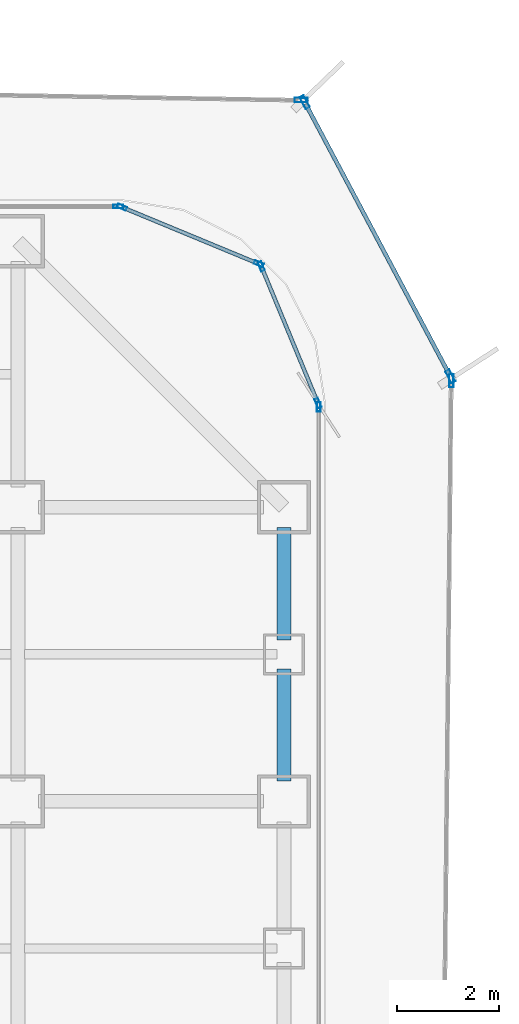
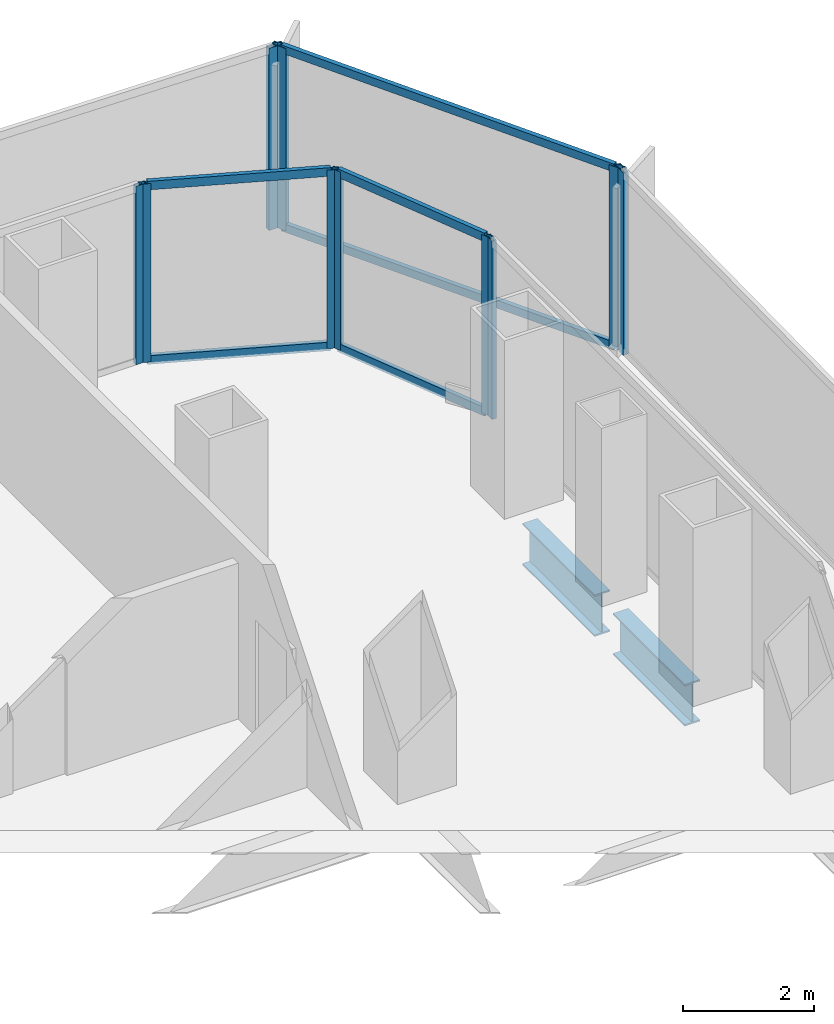
# One storey, part 15 of 21: 16 members, 2 beams, 7 elements without a shape of their own.
"""IFC4 building model written with IfcOpenShell, lengths in metres."""

from ifc_helpers import new_model, si_unit, direction, frame, origin, origin_2d, place, context, subcontext, project, spatial, hollow_rectangle, i_section, extrude, source, transform, mapped, material, layer, layer_set, material_profile, profile_set, type_object, element, aggregate, save


model = new_model("IFC4")

# Units and contexts
model_context = context("Model", 3, precision=1e-05, world=origin(), true_north=direction((0.0, 1.0)))
body_context = subcontext(model_context, "Body", "Model", "MODEL_VIEW")
ifc_project = project(units=[si_unit("LENGTHUNIT", "METRE"), si_unit("AREAUNIT", "SQUARE_METRE"), si_unit("VOLUMEUNIT", "CUBIC_METRE"), si_unit("PLANEANGLEUNIT", "RADIAN"), si_unit("MASSUNIT", "GRAM", prefix="KILO")], contexts=[model_context])

# Site, building, storey
site_placement = place(None, origin())
site = spatial("IfcSite", under=ifc_project, at=site_placement, CompositionType="ELEMENT")
building_placement = place(site_placement, origin())
building = spatial("IfcBuilding", under=site, at=building_placement, Name="Kolveth Station Tower", CompositionType="ELEMENT")
storey_placement = place(building_placement, frame((0.0, 0.0, 40.5)))
storey = spatial("IfcBuildingStorey", under=building, at=storey_placement, Name="L10", CompositionType="ELEMENT", Elevation=40.5)

# Beams
ifc_material_1 = material(Name="Steel S355", Category="steel")
ifc_material_profile_1 = material_profile(ifc_material_1, i_section(OverallWidth=0.26904296875, OverallDepth=0.77490234375, WebThickness=0.01708984375, FlangeThickness=0.0283203125, at=origin_2d()), Name="W760x220")
ifc_profile_set_1 = profile_set([ifc_material_profile_1], Name="Steel S355")
beam_type = type_object("IfcBeamType", Name="Beam_SP1", PredefinedType="SPANDREL", material=ifc_profile_set_1)
shared_shape_1 = source(origin(), body_context, "Body", "SweptSolid", [
    extrude(i_section(OverallWidth=0.26904296875, OverallDepth=0.77490234375, WebThickness=0.01708984375, FlangeThickness=0.0283203125, at=origin_2d()), origin(), (0.0, 0.0, 1.0), 2.2001953125),
])
beam_1_placement = place(storey_placement, frame((46.199951171875, 31.89990234375, -0.66748046875), z_axis=(0.0, 1.0, 0.0), x_axis=(-1.0, 0.0, 0.0)))
element("IfcBeam", 1, at=beam_1_placement, inside=storey, type_object=beam_type, Name="L10 Perimeter Spandrel BM-L10-PE-10", PredefinedType="SPANDREL", context=body_context, shape_type="MappedRepresentation", body=[
    mapped(shared_shape_1, transform((0.0, 0.0, 0.0), x_axis=(1.0, 0.0, 0.0), y_axis=(0.0, 1.0, 0.0), z_axis=(0.0, 0.0, 1.0), scale=1.0)),
])
shared_shape_2 = source(origin(), body_context, "Body", "SweptSolid", [
    extrude(i_section(OverallWidth=0.26904296875, OverallDepth=0.77490234375, WebThickness=0.01708984375, FlangeThickness=0.0283203125, at=origin_2d()), origin(), (0.0, 0.0, 1.0), 2.190185546875),
])
beam_2_placement = place(storey_placement, frame((46.199951171875, 29.14990234375, -0.66748046875), z_axis=(0.0, 1.0, 0.0), x_axis=(-1.0, 0.0, 0.0)))
element("IfcBeam", 2, at=beam_2_placement, inside=storey, type_object=beam_type, Name="L10 Perimeter Spandrel BM-L10-PE-9", PredefinedType="SPANDREL", context=body_context, shape_type="MappedRepresentation", body=[
    mapped(shared_shape_2, transform((0.0, 0.0, 0.0), x_axis=(1.0, 0.0, 0.0), y_axis=(0.0, 1.0, 0.0), z_axis=(0.0, 0.0, 1.0), scale=1.0)),
])

# Curtain wall, member
ifc_material_2 = material(Name="Aluminium 6063-T6 and low-E dark glass", Category="aluminium")
ifc_layer_1 = layer(ifc_material_2, 0.179931640625)
ifc_layer_set_1 = layer_set([ifc_layer_1], Name="Aluminium 6063-T6 and low-E dark glass")
curtain_wall_type_1 = type_object("IfcCurtainWallType", Name="CurtainWall_CW-Z1", PredefinedType="NOTDEFINED", material=ifc_layer_set_1)
curtain_wall_1_placement = place(storey_placement, origin())
curtain_wall_1 = element("IfcCurtainWall", 3, at=curtain_wall_1_placement, inside=storey, type_object=curtain_wall_type_1, Name="L10 Inner Thermal Curtain Wall 3", PredefinedType="NOTDEFINED")
ifc_material_3 = material(Name="Black anodized aluminium 6063-T6", Category="aluminium")
ifc_material_profile_2 = material_profile(ifc_material_3, hollow_rectangle(XDim=0.074951171875, YDim=0.18994140625, WallThickness=0.0048828125, at=origin_2d()), Name="ALU-75x190x5")
ifc_profile_set_2 = profile_set([ifc_material_profile_2], Name="Black anodized aluminium 6063-T6")
member_type_1 = type_object("IfcMemberType", Name="Mullion_ML1", PredefinedType="MULLION", material=ifc_profile_set_2)
shared_shape_3 = source(origin(), body_context, "Body", "SweptSolid", [
    extrude(hollow_rectangle(XDim=0.074951171875, YDim=0.18994140625, WallThickness=0.0048828125, at=origin_2d()), origin(), (0.0, 0.0, 1.0), 3.320068359375),
])
member_1_placement = place(storey_placement, frame((46.8798828125, 36.46240234375, 0.0), z_axis=(0.0, 0.0, 1.0), x_axis=(-1.0, 0.0, 0.0)))
member_1 = element("IfcMember", 4, at=member_1_placement, type_object=member_type_1, Name="CW-Z1 mullion 2", PredefinedType="MULLION", context=body_context, shape_type="MappedRepresentation", body=[
    mapped(shared_shape_3, transform((0.0, 0.0, 0.0), x_axis=(1.0, 0.0, 0.0), y_axis=(0.0, 1.0, 0.0), z_axis=(0.0, 0.0, 1.0), scale=1.0)),
])
aggregate(curtain_wall_1, [member_1])

# Curtain wall, members
curtain_wall_2_placement = place(storey_placement, origin())
curtain_wall_2 = element("IfcCurtainWall", 5, at=curtain_wall_2_placement, inside=storey, type_object=curtain_wall_type_1, Name="L10 Inner Thermal Curtain Wall 4", PredefinedType="NOTDEFINED")
member_2_placement = place(storey_placement, frame((46.86572265625, 36.53466796875, 0.0), z_axis=(0.0, 0.0, 1.0), x_axis=(-0.923883857728, -0.382672990201, 0.0)))
member_2 = element("IfcMember", 6, at=member_2_placement, type_object=member_type_1, Name="CW-Z1 mullion 1", PredefinedType="MULLION", context=body_context, shape_type="MappedRepresentation", body=[
    mapped(shared_shape_3, transform((0.0, 0.0, 0.0), x_axis=(1.0, 0.0, 0.0), y_axis=(0.0, 1.0, 0.0), z_axis=(0.0, 0.0, 1.0), scale=1.0)),
])
member_3_placement = place(storey_placement, frame((45.758056640625, 39.208984375, 0.0), z_axis=(0.0, 0.0, 1.0), x_axis=(-0.923883857728, -0.382672990201, 0.0)))
member_3 = element("IfcMember", 7, at=member_3_placement, type_object=member_type_1, Name="CW-Z1 mullion 2", PredefinedType="MULLION", context=body_context, shape_type="MappedRepresentation", body=[
    mapped(shared_shape_3, transform((0.0, 0.0, 0.0), x_axis=(1.0, 0.0, 0.0), y_axis=(0.0, 1.0, 0.0), z_axis=(0.0, 0.0, 1.0), scale=1.0)),
])

curtain_wall_3_placement = place(storey_placement, origin())
curtain_wall_3 = element("IfcCurtainWall", 8, at=curtain_wall_3_placement, inside=storey, type_object=curtain_wall_type_1, Name="L10 Inner Thermal Curtain Wall 5", PredefinedType="NOTDEFINED")
member_4_placement = place(storey_placement, frame((45.708984375, 39.258056640625, 0.0), z_axis=(0.0, 0.0, 1.0), x_axis=(-0.382672990201, -0.923883857728, 0.0)))
member_4 = element("IfcMember", 9, at=member_4_placement, type_object=member_type_1, Name="CW-Z1 mullion 1", PredefinedType="MULLION", context=body_context, shape_type="MappedRepresentation", body=[
    mapped(shared_shape_3, transform((0.0, 0.0, 0.0), x_axis=(1.0, 0.0, 0.0), y_axis=(0.0, 1.0, 0.0), z_axis=(0.0, 0.0, 1.0), scale=1.0)),
])
member_5_placement = place(storey_placement, frame((43.03466796875, 40.36572265625, 0.0), z_axis=(0.0, 0.0, 1.0), x_axis=(-0.382672990201, -0.923883857728, 0.0)))
member_5 = element("IfcMember", 10, at=member_5_placement, type_object=member_type_1, Name="CW-Z1 mullion 2", PredefinedType="MULLION", context=body_context, shape_type="MappedRepresentation", body=[
    mapped(shared_shape_3, transform((0.0, 0.0, 0.0), x_axis=(1.0, 0.0, 0.0), y_axis=(0.0, 1.0, 0.0), z_axis=(0.0, 0.0, 1.0), scale=1.0)),
])

# Curtain wall, member
curtain_wall_4_placement = place(storey_placement, origin())
curtain_wall_4 = element("IfcCurtainWall", 11, at=curtain_wall_4_placement, inside=storey, type_object=curtain_wall_type_1, Name="L10 Inner Thermal Curtain Wall 6", PredefinedType="NOTDEFINED")
member_6_placement = place(storey_placement, frame((42.96240234375, 40.3798828125, 0.0), z_axis=(0.0, 0.0, 1.0), x_axis=(0.0, -1.0, 0.0)))
member_6 = element("IfcMember", 12, at=member_6_placement, type_object=member_type_1, Name="CW-Z1 mullion 1", PredefinedType="MULLION", context=body_context, shape_type="MappedRepresentation", body=[
    mapped(shared_shape_3, transform((0.0, 0.0, 0.0), x_axis=(1.0, 0.0, 0.0), y_axis=(0.0, 1.0, 0.0), z_axis=(0.0, 0.0, 1.0), scale=1.0)),
])
aggregate(curtain_wall_4, [member_6])

# Member
ifc_material_profile_3 = material_profile(ifc_material_3, hollow_rectangle(XDim=0.074951171875, YDim=0.159912109375, WallThickness=0.0048828125, at=origin_2d()), Name="ALU-75x160x5")
ifc_profile_set_3 = profile_set([ifc_material_profile_3], Name="Black anodized aluminium 6063-T6")
member_type_2 = type_object("IfcMemberType", Name="Transom_TR1", PredefinedType="USERDEFINED", material=ifc_profile_set_3)
shared_shape_4 = source(origin(), body_context, "Body", "SweptSolid", [
    extrude(hollow_rectangle(XDim=0.074951171875, YDim=0.159912109375, WallThickness=0.0048828125, at=origin_2d()), origin(), (0.0, 0.0, 1.0), 2.819580078125),
])
member_7_placement = place(storey_placement, frame((46.851318359375, 36.5693359375, 0.03759765625), z_axis=(-0.382708655389, 0.923869084389, 0.0), x_axis=(-0.923869084389, -0.382708655389, 0.0)))
member_7 = element("IfcMember", 13, at=member_7_placement, type_object=member_type_2, Name="CW-Z1 transom 1.1", ObjectType="TRANSOM", PredefinedType="USERDEFINED", context=body_context, shape_type="MappedRepresentation", body=[
    mapped(shared_shape_4, transform((0.0, 0.0, 0.0), x_axis=(1.0, 0.0, 0.0), y_axis=(0.0, 1.0, 0.0), z_axis=(0.0, 0.0, 1.0), scale=1.0)),
])

member_8_placement = place(storey_placement, frame((46.851318359375, 36.5693359375, 3.282470703125), z_axis=(-0.382708655389, 0.923869084389, 0.0), x_axis=(-0.923869084389, -0.382708655389, 0.0)))
member_8 = element("IfcMember", 14, at=member_8_placement, type_object=member_type_2, Name="CW-Z1 transom 1.2", ObjectType="TRANSOM", PredefinedType="USERDEFINED", context=body_context, shape_type="MappedRepresentation", body=[
    mapped(shared_shape_4, transform((0.0, 0.0, 0.0), x_axis=(1.0, 0.0, 0.0), y_axis=(0.0, 1.0, 0.0), z_axis=(0.0, 0.0, 1.0), scale=1.0)),
])

aggregate(curtain_wall_2, [member_2, member_3, member_7, member_8])

member_9_placement = place(storey_placement, frame((45.67431640625, 39.272216796875, 0.03759765625), z_axis=(-0.923869084389, 0.382708655389, 0.0), x_axis=(-0.382708655389, -0.923869084389, 0.0)))
member_9 = element("IfcMember", 15, at=member_9_placement, type_object=member_type_2, Name="CW-Z1 transom 1.1", ObjectType="TRANSOM", PredefinedType="USERDEFINED", context=body_context, shape_type="MappedRepresentation", body=[
    mapped(shared_shape_4, transform((0.0, 0.0, 0.0), x_axis=(1.0, 0.0, 0.0), y_axis=(0.0, 1.0, 0.0), z_axis=(0.0, 0.0, 1.0), scale=1.0)),
])

member_10_placement = place(storey_placement, frame((45.67431640625, 39.272216796875, 3.282470703125), z_axis=(-0.923869084389, 0.382708655389, 0.0), x_axis=(-0.382708655389, -0.923869084389, 0.0)))
member_10 = element("IfcMember", 16, at=member_10_placement, type_object=member_type_2, Name="CW-Z1 transom 1.2", ObjectType="TRANSOM", PredefinedType="USERDEFINED", context=body_context, shape_type="MappedRepresentation", body=[
    mapped(shared_shape_4, transform((0.0, 0.0, 0.0), x_axis=(1.0, 0.0, 0.0), y_axis=(0.0, 1.0, 0.0), z_axis=(0.0, 0.0, 1.0), scale=1.0)),
])

aggregate(curtain_wall_3, [member_4, member_5, member_9, member_10])

# Curtain wall, member
ifc_material_4 = material(Name="Black anodized aluminium 6063-T6 and dark solar glass", Category="aluminium")
ifc_layer_2 = layer(ifc_material_4, 0.159912109375)
ifc_layer_set_2 = layer_set([ifc_layer_2], Name="Black anodized aluminium 6063-T6 and dark solar glass")
curtain_wall_type_2 = type_object("IfcCurtainWallType", Name="OUTER SKIN CW-OS", PredefinedType="NOTDEFINED", material=ifc_layer_set_2)
curtain_wall_5_placement = place(storey_placement, origin())
curtain_wall_5 = element("IfcCurtainWall", 17, at=curtain_wall_5_placement, inside=storey, type_object=curtain_wall_type_2, Name="L10 Outer Ventilated Skin Curtain Wall 2", PredefinedType="NOTDEFINED")
ifc_material_profile_4 = material_profile(ifc_material_3, hollow_rectangle(XDim=0.090087890625, YDim=0.260009765625, WallThickness=0.0048828125, at=origin_2d()), Name="ALU-90x260x5")
ifc_profile_set_4 = profile_set([ifc_material_profile_4], Name="Black anodized aluminium 6063-T6")
member_type_3 = type_object("IfcMemberType", Name="FIN MULLION ML-OS", PredefinedType="MULLION", material=ifc_profile_set_4)
shared_shape_5 = source(origin(), body_context, "Body", "SweptSolid", [
    extrude(hollow_rectangle(XDim=0.090087890625, YDim=0.260009765625, WallThickness=0.0048828125, at=origin_2d()), origin(), (0.0, 0.0, 1.0), 3.389892578125),
])
member_11_placement = place(storey_placement, frame((49.474365234375, 36.97509765625, 0.0), z_axis=(0.0, 0.0, 1.0), x_axis=(-0.999944379669, 0.010546922203, 0.0)))
member_11 = element("IfcMember", 18, at=member_11_placement, type_object=member_type_3, Name="CW-OS mullion 2", PredefinedType="MULLION", context=body_context, shape_type="MappedRepresentation", body=[
    mapped(shared_shape_5, transform((0.0, 0.0, 0.0), x_axis=(1.0, 0.0, 0.0), y_axis=(0.0, 1.0, 0.0), z_axis=(0.0, 0.0, 1.0), scale=1.0)),
])
aggregate(curtain_wall_5, [member_11])

# Curtain wall, members
curtain_wall_6_placement = place(storey_placement, origin())
curtain_wall_6 = element("IfcCurtainWall", 19, at=curtain_wall_6_placement, inside=storey, type_object=curtain_wall_type_2, Name="L10 Outer Ventilated Skin Curtain Wall 3", PredefinedType="NOTDEFINED")
member_12_placement = place(storey_placement, frame((49.453857421875, 37.059814453125, 0.0), z_axis=(0.0, 0.0, 1.0), x_axis=(-0.883094277761, -0.469195584575, 0.0)))
member_12 = element("IfcMember", 20, at=member_12_placement, type_object=member_type_3, Name="CW-OS mullion 1", PredefinedType="MULLION", context=body_context, shape_type="MappedRepresentation", body=[
    mapped(shared_shape_5, transform((0.0, 0.0, 0.0), x_axis=(1.0, 0.0, 0.0), y_axis=(0.0, 1.0, 0.0), z_axis=(0.0, 0.0, 1.0), scale=1.0)),
])
member_13_placement = place(storey_placement, frame((46.60595703125, 42.419677734375, 0.0), z_axis=(0.0, 0.0, 1.0), x_axis=(-0.883094277761, -0.469195584575, 0.0)))
member_13 = element("IfcMember", 21, at=member_13_placement, type_object=member_type_3, Name="CW-OS mullion 2", PredefinedType="MULLION", context=body_context, shape_type="MappedRepresentation", body=[
    mapped(shared_shape_5, transform((0.0, 0.0, 0.0), x_axis=(1.0, 0.0, 0.0), y_axis=(0.0, 1.0, 0.0), z_axis=(0.0, 0.0, 1.0), scale=1.0)),
])

# Curtain wall, member
curtain_wall_7_placement = place(storey_placement, origin())
curtain_wall_7 = element("IfcCurtainWall", 22, at=curtain_wall_7_placement, inside=storey, type_object=curtain_wall_type_2, Name="L10 Outer Ventilated Skin Curtain Wall 4", PredefinedType="NOTDEFINED")
member_14_placement = place(storey_placement, frame((46.539794921875, 42.460205078125, 0.0), z_axis=(0.0, 0.0, 1.0), x_axis=(-0.016859990549, -0.999857860257, 0.0)))
member_14 = element("IfcMember", 23, at=member_14_placement, type_object=member_type_3, Name="CW-OS mullion 1", PredefinedType="MULLION", context=body_context, shape_type="MappedRepresentation", body=[
    mapped(shared_shape_5, transform((0.0, 0.0, 0.0), x_axis=(1.0, 0.0, 0.0), y_axis=(0.0, 1.0, 0.0), z_axis=(0.0, 0.0, 1.0), scale=1.0)),
])
aggregate(curtain_wall_7, [member_14])

# Member
ifc_material_profile_5 = material_profile(ifc_material_3, hollow_rectangle(XDim=0.080078125, YDim=0.14990234375, WallThickness=0.0048828125, at=origin_2d()), Name="ALU-80x150x5")
ifc_profile_set_5 = profile_set([ifc_material_profile_5], Name="Black anodized aluminium 6063-T6")
member_type_4 = type_object("IfcMemberType", Name="Transom_TR-OS", PredefinedType="USERDEFINED", material=ifc_profile_set_5)
shared_shape_6 = source(origin(), body_context, "Body", "SweptSolid", [
    extrude(hollow_rectangle(XDim=0.080078125, YDim=0.14990234375, WallThickness=0.0048828125, at=origin_2d()), origin(), (0.0, 0.0, 1.0), 5.9794921875),
])
member_15_placement = place(storey_placement, frame((49.4326171875, 37.099609375, 0.0400390625), z_axis=(-0.469174132526, 0.883105675086, 0.0), x_axis=(-0.883105675086, -0.469174132526, 0.0)))
member_15 = element("IfcMember", 24, at=member_15_placement, type_object=member_type_4, Name="CW-OS transom 1.1", ObjectType="TRANSOM", PredefinedType="USERDEFINED", context=body_context, shape_type="MappedRepresentation", body=[
    mapped(shared_shape_6, transform((0.0, 0.0, 0.0), x_axis=(1.0, 0.0, 0.0), y_axis=(0.0, 1.0, 0.0), z_axis=(0.0, 0.0, 1.0), scale=1.0)),
])

member_16_placement = place(storey_placement, frame((49.4326171875, 37.099609375, 3.35009765625), z_axis=(-0.469174132526, 0.883105675086, 0.0), x_axis=(-0.883105675086, -0.469174132526, 0.0)))
member_16 = element("IfcMember", 25, at=member_16_placement, type_object=member_type_4, Name="CW-OS transom 1.2", ObjectType="TRANSOM", PredefinedType="USERDEFINED", context=body_context, shape_type="MappedRepresentation", body=[
    mapped(shared_shape_6, transform((0.0, 0.0, 0.0), x_axis=(1.0, 0.0, 0.0), y_axis=(0.0, 1.0, 0.0), z_axis=(0.0, 0.0, 1.0), scale=1.0)),
])

aggregate(curtain_wall_6, [member_12, member_13, member_15, member_16])

save(model, "model.ifc")
